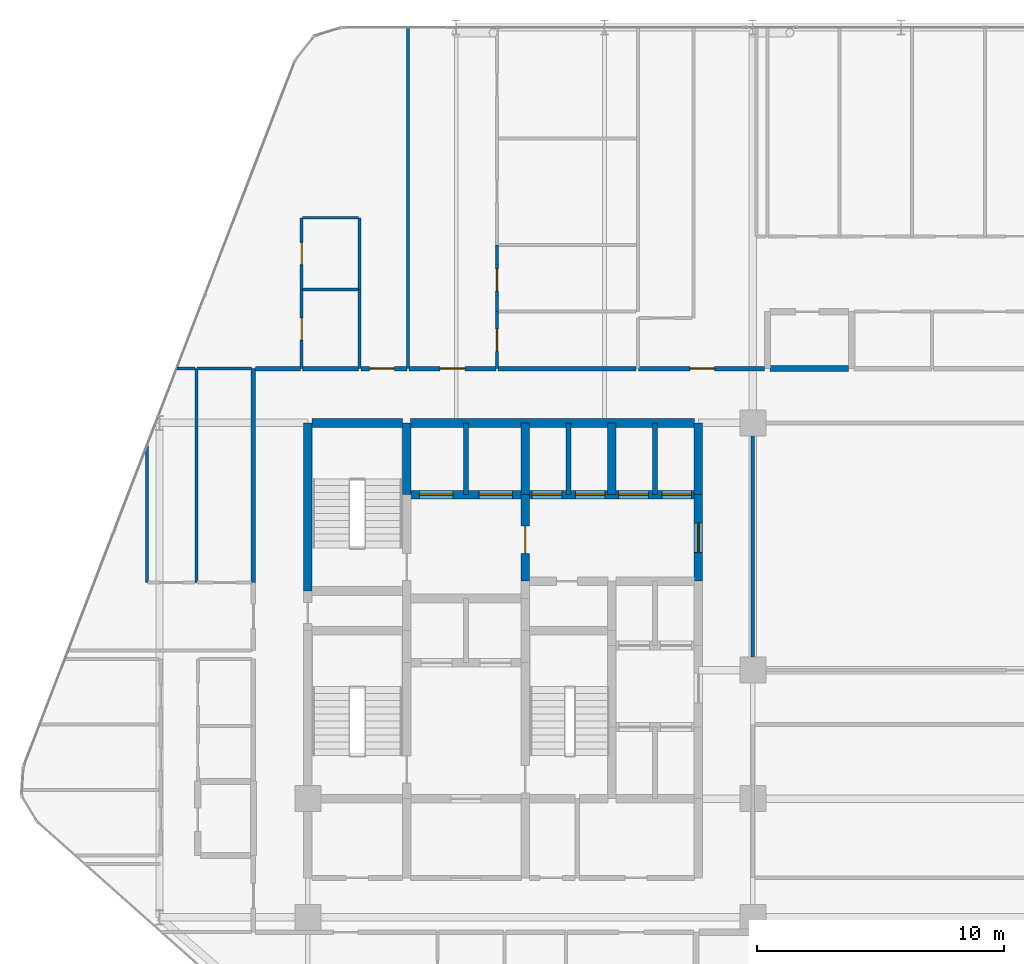
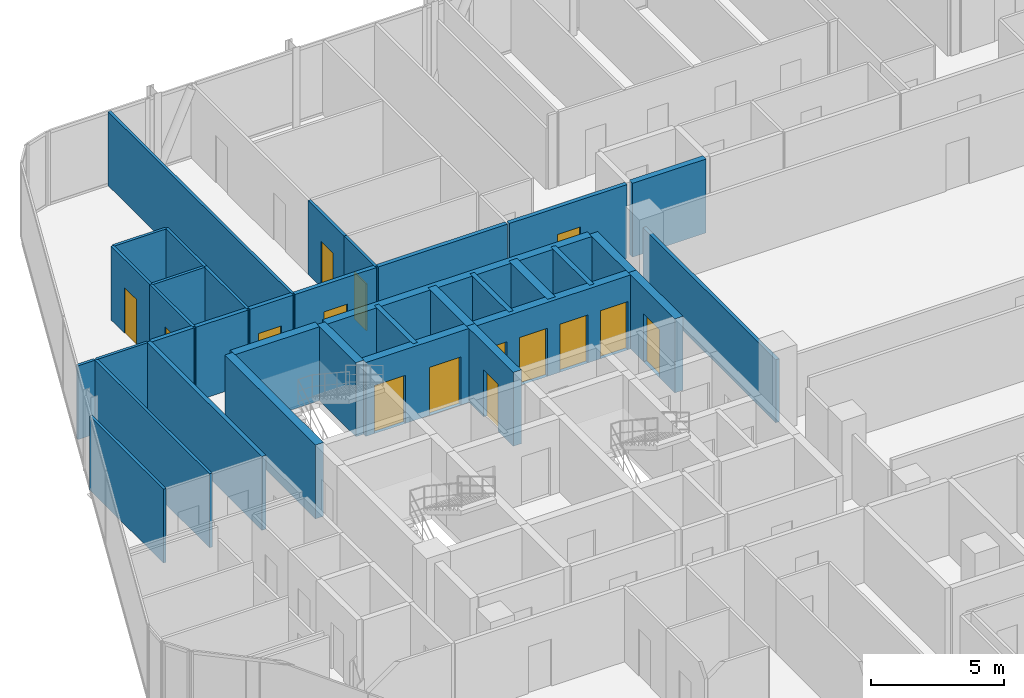
# One storey, part 27 of 30: 35 walls, 15 doors, 15 openings.
"""IFC4 building model written with IfcOpenShell, lengths in metres."""

from ifc_helpers import new_model, si_unit, direction, frame, frame_2d, origin, place, context, subcontext, project, spatial, rectangle, extrude, material, layer, layer_set, type_object, element, fill, save


model = new_model("IFC4")

# Units and contexts
model_context = context("Model", 3, precision=1e-05, world=origin(), true_north=direction((0.0, 1.0)))
body_context = subcontext(model_context, "Body", "Model", "MODEL_VIEW")
ifc_project = project(units=[si_unit("LENGTHUNIT", "METRE"), si_unit("AREAUNIT", "SQUARE_METRE"), si_unit("VOLUMEUNIT", "CUBIC_METRE"), si_unit("PLANEANGLEUNIT", "RADIAN"), si_unit("MASSUNIT", "GRAM", prefix="KILO")], contexts=[model_context])

# Site, building, storey
site_placement = place(None, origin())
site = spatial("IfcSite", under=ifc_project, at=site_placement, CompositionType="ELEMENT")
building_placement = place(site_placement, origin())
building = spatial("IfcBuilding", under=site, at=building_placement, Name="Keshet Zoharim Tower", CompositionType="ELEMENT")
storey_placement = place(building_placement, frame((0.0, 0.0, 90.89990234375)))
storey = spatial("IfcBuildingStorey", under=building, at=storey_placement, Name="L21", CompositionType="ELEMENT", Elevation=90.89990234375)

# Walls
ifc_material_1 = material(Name="Gypsum Plasterboard", Category="gypsum")
ifc_layer_1 = layer(ifc_material_1, 0.14990234375)
ifc_layer_set_1 = layer_set([ifc_layer_1], Name="Gypsum Plasterboard")
wall_type_1 = type_object("IfcWallType", Name="WL-CLIN-150", PredefinedType="STANDARD", material=ifc_layer_set_1)
wall_1_placement = place(storey_placement, frame((33.0, 27.909912109375, 0.0), z_axis=(0.0, 0.0, 1.0), x_axis=(0.0, 1.0, 0.0)))
element("IfcWall", 1, at=wall_1_placement, inside=storey, type_object=wall_type_1, Name="L21 Interior Wall 070", PredefinedType="STANDARD", context=body_context, shape_type="SweptSolid", body=[
    extrude(rectangle(XDim=9.97998046875, YDim=0.14990234375, at=frame_2d((4.989990234375, 0.0))), origin(), (0.0, 0.0, 1.0), 2.885009765625),
])
ifc_material_2 = material(Name="Concrete C60/75", Category="concrete")
ifc_layer_2 = layer(ifc_material_2, 0.35009765625)
ifc_layer_set_2 = layer_set([ifc_layer_2], Name="Concrete C60/75")
wall_type_2 = type_object("IfcWallType", Name="WL-CORE-350", PredefinedType="SHEAR", material=ifc_layer_set_2)
wall_2_placement = place(storey_placement, frame((15.0, 31.10009765625, 0.0), z_axis=(0.0, 0.0, 1.0), x_axis=(0.0, 1.0, 0.0)))
element("IfcWall", 2, at=wall_2_placement, inside=storey, type_object=wall_type_2, Name="L21 Core Shear Wall 018", PredefinedType="SHEAR", context=body_context, shape_type="SweptSolid", body=[
    extrude(rectangle(XDim=6.7998046875, YDim=0.35009765625, at=frame_2d((3.39990234375, 0.0))), origin(), (0.0, 0.0, 1.0), 3.385009765625),
])
wall_3_placement = place(storey_placement, frame((19.0, 35.0, 0.0), z_axis=(0.0, 0.0, 1.0), x_axis=(0.0, 1.0, 0.0)))
element("IfcWall", 3, at=wall_3_placement, inside=storey, type_object=wall_type_2, Name="L21 Core Shear Wall 025", PredefinedType="SHEAR", context=body_context, shape_type="SweptSolid", body=[
    extrude(rectangle(XDim=2.89990234375, YDim=0.35009765625, at=frame_2d((1.449951171875, 0.0))), origin(), (0.0, 0.0, 1.0), 3.385009765625),
])

# Wall, opening, door
wall_4_placement = place(storey_placement, frame((23.800048828125, 31.5, 0.0), z_axis=(0.0, 0.0, 1.0), x_axis=(0.0, 1.0, 0.0)))
wall_4 = element("IfcWall", 4, at=wall_4_placement, inside=storey, type_object=wall_type_2, Name="L21 Core Shear Wall 041", PredefinedType="SHEAR", context=body_context, shape_type="SweptSolid", body=[
    extrude(rectangle(XDim=3.5, YDim=0.35009765625, at=frame_2d((1.75, 0.0))), origin(), (0.0, 0.0, 1.0), 3.385009765625),
])
opening_1_placement = place(wall_4_placement, frame((1.126953125, 0.0, 0.0)))
opening_1 = element("IfcOpeningElement", 5, at=opening_1_placement, cuts=wall_4, Name="Opening D-F611", PredefinedType="OPENING", context=body_context, shape_type="SweptSolid", body=[
    extrude(rectangle(XDim=1.10009765625, YDim=2.14990234375, at=frame_2d((0.550048828125, 1.074951171875))), frame((0.0, 0.18505859375, 0.0), z_axis=(0.0, -1.0, 0.0), x_axis=(1.0, 0.0, 0.0)), (0.0, 0.0, 1.0), 0.3701171875),
])
ifc_material_3 = material(Name="Hardwood Timber", Category="wood")
door_type_1 = type_object("IfcDoorType", Name="DR-FD60-110", OperationType="NOTDEFINED", PredefinedType="DOOR", material=ifc_material_3)
door_1_placement = place(opening_1_placement, origin())
door_1 = element("IfcDoor", 6, at=door_1_placement, inside=storey, type_object=door_type_1, Name="L21 Firefighting Lobby Fire Door", OperationType="SINGLE_SWING_RIGHT", OverallHeight=2.14990234375, OverallWidth=1.10009765625, PredefinedType="DOOR", context=body_context, shape_type="SweptSolid", body=[
    extrude(rectangle(XDim=1.10009765625, YDim=2.14990234375, at=frame_2d((0.550048828125, 1.074951171875))), frame((0.0, 0.02490234375, 0.0), z_axis=(0.0, -1.0, 0.0), x_axis=(1.0, 0.0, 0.0)), (0.0, 0.0, 1.0), 0.050048828125),
])
fill(opening_1, door_1)

# Walls
for number, where, z_axis, x_axis, name in (
    (7, (23.800048828125, 35.0, 0.0), (0.0, 0.0, 1.0), (0.0, 1.0, 0.0), "L21 Core Shear Wall 042"),
    (8, (27.300048828125, 35.0, 0.0), (0.0, 0.0, 1.0), (0.0, 1.0, 0.0), "L21 Core Shear Wall 051"),
):
    element("IfcWall", number, at=place(storey_placement, frame(where, z_axis=z_axis, x_axis=x_axis)), inside=storey, type_object=wall_type_2, Name=name, PredefinedType="SHEAR", context=body_context, shape_type="SweptSolid", body=[
        extrude(rectangle(XDim=2.89990234375, YDim=0.35009765625, at=frame_2d((1.449951171875, 0.0))), origin(), (0.0, 0.0, 1.0), 3.385009765625),
    ])

# Wall, opening, door
wall_5_placement = place(storey_placement, frame((30.800048828125, 31.5, 0.0), z_axis=(0.0, 0.0, 1.0), x_axis=(0.0, 1.0, 0.0)))
wall_5 = element("IfcWall", 9, at=wall_5_placement, inside=storey, type_object=wall_type_2, Name="L21 Core Shear Wall 067", PredefinedType="SHEAR", context=body_context, shape_type="SweptSolid", body=[
    extrude(rectangle(XDim=3.5, YDim=0.35009765625, at=frame_2d((1.75, 0.0))), origin(), (0.0, 0.0, 1.0), 3.385009765625),
])
opening_2_placement = place(wall_5_placement, frame((1.14990234375, 0.0, 0.0)))
opening_2 = element("IfcOpeningElement", 10, at=opening_2_placement, cuts=wall_5, Name="Opening D-F612", PredefinedType="OPENING", context=body_context, shape_type="SweptSolid", body=[
    extrude(rectangle(XDim=1.199951171875, YDim=2.199951171875, at=frame_2d((0.60009765625, 1.10009765625))), frame((0.0, 0.18505859375, 0.0), z_axis=(0.0, -1.0, 0.0), x_axis=(1.0, 0.0, 0.0)), (0.0, 0.0, 1.0), 0.3701171875),
])
door_type_2 = type_object("IfcDoorType", Name="DR-FD60-120", OperationType="NOTDEFINED", PredefinedType="DOOR", material=ifc_material_3)
door_2_placement = place(opening_2_placement, origin())
door_2 = element("IfcDoor", 11, at=door_2_placement, inside=storey, type_object=door_type_2, Name="L21 North Lift Lobby East Fire Door", OperationType="SINGLE_SWING_RIGHT", OverallHeight=2.199951171875, OverallWidth=1.199951171875, PredefinedType="DOOR", context=body_context, shape_type="SweptSolid", body=[
    extrude(rectangle(XDim=1.199951171875, YDim=2.199951171875, at=frame_2d((0.60009765625, 1.10009765625))), frame((0.0, 0.02490234375, 0.0), z_axis=(0.0, -1.0, 0.0), x_axis=(1.0, 0.0, 0.0)), (0.0, 0.0, 1.0), 0.050048828125),
])
fill(opening_2, door_2)

# Wall
wall_6_placement = place(storey_placement, frame((30.800048828125, 35.0, 0.0), z_axis=(0.0, 0.0, 1.0), x_axis=(0.0, 1.0, 0.0)))
element("IfcWall", 12, at=wall_6_placement, inside=storey, type_object=wall_type_2, Name="L21 Core Shear Wall 068", PredefinedType="SHEAR", context=body_context, shape_type="SweptSolid", body=[
    extrude(rectangle(XDim=2.89990234375, YDim=0.35009765625, at=frame_2d((1.449951171875, 0.0))), origin(), (0.0, 0.0, 1.0), 3.385009765625),
])

# Wall, openings, doors
wall_7_placement = place(storey_placement, frame((19.159912109375, 35.0, 0.0), z_axis=(0.0, 0.0, 1.0), x_axis=(1.0, 0.0, 0.0)))
wall_7 = element("IfcWall", 13, at=wall_7_placement, inside=storey, type_object=wall_type_2, Name="L21 Core Shear Wall 176", PredefinedType="SHEAR", context=body_context, shape_type="SweptSolid", body=[
    extrude(rectangle(XDim=11.47998046875, YDim=0.35009765625, at=frame_2d((5.739990234375, 0.0))), origin(), (0.0, 0.0, 1.0), 3.385009765625),
])
opening_3_placement = place(wall_7_placement, frame((0.364990234375, 0.0, 0.0)))
opening_3 = element("IfcOpeningElement", 14, at=opening_3_placement, cuts=wall_7, Name="Opening LD-02", PredefinedType="OPENING", context=body_context, shape_type="SweptSolid", body=[
    extrude(rectangle(XDim=1.35009765625, YDim=2.199951171875, at=frame_2d((0.675048828125, 1.10009765625))), frame((0.0, 0.18505859375, 0.0), z_axis=(0.0, -1.0, 0.0), x_axis=(1.0, 0.0, 0.0)), (0.0, 0.0, 1.0), 0.3701171875),
])
opening_4_placement = place(wall_7_placement, frame((2.764892578125, 0.0, 0.0)))
opening_4 = element("IfcOpeningElement", 15, at=opening_4_placement, cuts=wall_7, Name="Opening LD-02", PredefinedType="OPENING", context=body_context, shape_type="SweptSolid", body=[
    extrude(rectangle(XDim=1.35009765625, YDim=2.199951171875, at=frame_2d((0.675048828125, 1.10009765625))), frame((0.0, 0.18505859375, 0.0), z_axis=(0.0, -1.0, 0.0), x_axis=(1.0, 0.0, 0.0)), (0.0, 0.0, 1.0), 0.3701171875),
])
opening_5_placement = place(wall_7_placement, frame((4.9150390625, 0.0, 0.0)))
opening_5 = element("IfcOpeningElement", 16, at=opening_5_placement, cuts=wall_7, Name="Opening LD-03", PredefinedType="OPENING", context=body_context, shape_type="SweptSolid", body=[
    extrude(rectangle(XDim=1.199951171875, YDim=2.199951171875, at=frame_2d((0.60009765625, 1.10009765625))), frame((0.0, 0.18505859375, 0.0), z_axis=(0.0, -1.0, 0.0), x_axis=(1.0, 0.0, 0.0)), (0.0, 0.0, 1.0), 0.3701171875),
])
opening_6_placement = place(wall_7_placement, frame((6.6650390625, 0.0, 0.0)))
opening_6 = element("IfcOpeningElement", 17, at=opening_6_placement, cuts=wall_7, Name="Opening LD-03", PredefinedType="OPENING", context=body_context, shape_type="SweptSolid", body=[
    extrude(rectangle(XDim=1.199951171875, YDim=2.199951171875, at=frame_2d((0.60009765625, 1.10009765625))), frame((0.0, 0.18505859375, 0.0), z_axis=(0.0, -1.0, 0.0), x_axis=(1.0, 0.0, 0.0)), (0.0, 0.0, 1.0), 0.3701171875),
])
opening_7_placement = place(wall_7_placement, frame((8.4150390625, 0.0, 0.0)))
opening_7 = element("IfcOpeningElement", 18, at=opening_7_placement, cuts=wall_7, Name="Opening LD-03", PredefinedType="OPENING", context=body_context, shape_type="SweptSolid", body=[
    extrude(rectangle(XDim=1.199951171875, YDim=2.199951171875, at=frame_2d((0.60009765625, 1.10009765625))), frame((0.0, 0.18505859375, 0.0), z_axis=(0.0, -1.0, 0.0), x_axis=(1.0, 0.0, 0.0)), (0.0, 0.0, 1.0), 0.3701171875),
])
opening_8_placement = place(wall_7_placement, frame((10.159912109375, 0.0, 0.0)))
opening_8 = element("IfcOpeningElement", 19, at=opening_8_placement, cuts=wall_7, Name="Opening LD-03", PredefinedType="OPENING", context=body_context, shape_type="SweptSolid", body=[
    extrude(rectangle(XDim=1.199951171875, YDim=2.199951171875, at=frame_2d((0.60009765625, 1.10009765625))), frame((0.0, 0.18505859375, 0.0), z_axis=(0.0, -1.0, 0.0), x_axis=(1.0, 0.0, 0.0)), (0.0, 0.0, 1.0), 0.3701171875),
])
ifc_material_4 = material(Name="Steel S355", Category="steel")
door_type_3 = type_object("IfcDoorType", Name="DR-LD02-135", OperationType="DOUBLE_DOOR_SLIDING", PredefinedType="DOOR", material=ifc_material_4)
door_3_placement = place(opening_3_placement, origin())
door_3 = element("IfcDoor", 20, at=door_3_placement, inside=storey, type_object=door_type_3, Name="L21 Firefighting Lift Landing Door FF-01", OperationType="DOUBLE_DOOR_SLIDING", OverallHeight=2.199951171875, OverallWidth=1.35009765625, PredefinedType="DOOR", context=body_context, shape_type="SweptSolid", body=[
    extrude(rectangle(XDim=1.35009765625, YDim=2.199951171875, at=frame_2d((0.675048828125, 1.10009765625))), frame((0.0, 0.02490234375, 0.0), z_axis=(0.0, -1.0, 0.0), x_axis=(1.0, 0.0, 0.0)), (0.0, 0.0, 1.0), 0.050048828125),
])
fill(opening_3, door_3)
door_4_placement = place(opening_4_placement, origin())
door_4 = element("IfcDoor", 21, at=door_4_placement, inside=storey, type_object=door_type_3, Name="L21 Firefighting Lift Landing Door FF-02", OperationType="DOUBLE_DOOR_SLIDING", OverallHeight=2.199951171875, OverallWidth=1.35009765625, PredefinedType="DOOR", context=body_context, shape_type="SweptSolid", body=[
    extrude(rectangle(XDim=1.35009765625, YDim=2.199951171875, at=frame_2d((0.675048828125, 1.10009765625))), frame((0.0, 0.02490234375, 0.0), z_axis=(0.0, -1.0, 0.0), x_axis=(1.0, 0.0, 0.0)), (0.0, 0.0, 1.0), 0.050048828125),
])
fill(opening_4, door_4)
door_type_4 = type_object("IfcDoorType", Name="DR-LD03-120", OperationType="DOUBLE_DOOR_SLIDING", PredefinedType="DOOR", material=ifc_material_4)
door_5_placement = place(opening_5_placement, origin())
door_5 = element("IfcDoor", 22, at=door_5_placement, inside=storey, type_object=door_type_4, Name="L21 Passenger Lift Landing Door LF-01", OperationType="DOUBLE_DOOR_SLIDING", OverallHeight=2.199951171875, OverallWidth=1.199951171875, PredefinedType="DOOR", context=body_context, shape_type="SweptSolid", body=[
    extrude(rectangle(XDim=1.199951171875, YDim=2.199951171875, at=frame_2d((0.60009765625, 1.10009765625))), frame((0.0, 0.02490234375, 0.0), z_axis=(0.0, -1.0, 0.0), x_axis=(1.0, 0.0, 0.0)), (0.0, 0.0, 1.0), 0.050048828125),
])
fill(opening_5, door_5)
door_6_placement = place(opening_6_placement, origin())
door_6 = element("IfcDoor", 23, at=door_6_placement, inside=storey, type_object=door_type_4, Name="L21 Passenger Lift Landing Door LF-02", OperationType="DOUBLE_DOOR_SLIDING", OverallHeight=2.199951171875, OverallWidth=1.199951171875, PredefinedType="DOOR", context=body_context, shape_type="SweptSolid", body=[
    extrude(rectangle(XDim=1.199951171875, YDim=2.199951171875, at=frame_2d((0.60009765625, 1.10009765625))), frame((0.0, 0.02490234375, 0.0), z_axis=(0.0, -1.0, 0.0), x_axis=(1.0, 0.0, 0.0)), (0.0, 0.0, 1.0), 0.050048828125),
])
fill(opening_6, door_6)
door_7_placement = place(opening_7_placement, origin())
door_7 = element("IfcDoor", 24, at=door_7_placement, inside=storey, type_object=door_type_4, Name="L21 Passenger Lift Landing Door LF-03", OperationType="DOUBLE_DOOR_SLIDING", OverallHeight=2.199951171875, OverallWidth=1.199951171875, PredefinedType="DOOR", context=body_context, shape_type="SweptSolid", body=[
    extrude(rectangle(XDim=1.199951171875, YDim=2.199951171875, at=frame_2d((0.60009765625, 1.10009765625))), frame((0.0, 0.02490234375, 0.0), z_axis=(0.0, -1.0, 0.0), x_axis=(1.0, 0.0, 0.0)), (0.0, 0.0, 1.0), 0.050048828125),
])
fill(opening_7, door_7)
door_8_placement = place(opening_8_placement, origin())
door_8 = element("IfcDoor", 25, at=door_8_placement, inside=storey, type_object=door_type_4, Name="L21 Passenger Lift Landing Door LF-04", OperationType="DOUBLE_DOOR_SLIDING", OverallHeight=2.199951171875, OverallWidth=1.199951171875, PredefinedType="DOOR", context=body_context, shape_type="SweptSolid", body=[
    extrude(rectangle(XDim=1.199951171875, YDim=2.199951171875, at=frame_2d((0.60009765625, 1.10009765625))), frame((0.0, 0.02490234375, 0.0), z_axis=(0.0, -1.0, 0.0), x_axis=(1.0, 0.0, 0.0)), (0.0, 0.0, 1.0), 0.050048828125),
])
fill(opening_8, door_8)

# Walls
wall_8_placement = place(storey_placement, frame((15.159912109375, 37.89990234375, 0.0), z_axis=(0.0, 0.0, 1.0), x_axis=(1.0, 0.0, 0.0)))
element("IfcWall", 26, at=wall_8_placement, inside=storey, type_object=wall_type_2, Name="L21 Core Shear Wall 177", PredefinedType="SHEAR", context=body_context, shape_type="SweptSolid", body=[
    extrude(rectangle(XDim=3.68017578125, YDim=0.35009765625, at=frame_2d((1.840087890625, 0.0))), origin(), (0.0, 0.0, 1.0), 3.385009765625),
])
wall_9_placement = place(storey_placement, frame((19.159912109375, 37.89990234375, 0.0), z_axis=(0.0, 0.0, 1.0), x_axis=(1.0, 0.0, 0.0)))
element("IfcWall", 27, at=wall_9_placement, inside=storey, type_object=wall_type_2, Name="L21 Core Shear Wall 178", PredefinedType="SHEAR", context=body_context, shape_type="SweptSolid", body=[
    extrude(rectangle(XDim=11.47998046875, YDim=0.35009765625, at=frame_2d((5.739990234375, 0.0))), origin(), (0.0, 0.0, 1.0), 3.385009765625),
])
ifc_layer_3 = layer(ifc_material_1, 0.179931640625)
ifc_layer_set_3 = layer_set([ifc_layer_3], Name="Gypsum Plasterboard")
wall_type_3 = type_object("IfcWallType", Name="WL-CORR-180", PredefinedType="STANDARD", material=ifc_layer_set_3)
wall_10_placement = place(storey_placement, frame((12.800048828125, 31.449951171875, 0.0), z_axis=(0.0, 0.0, 1.0), x_axis=(0.0, 1.0, 0.0)))
element("IfcWall", 28, at=wall_10_placement, inside=storey, type_object=wall_type_3, Name="L21 Interior Wall 012", PredefinedType="STANDARD", context=body_context, shape_type="SweptSolid", body=[
    extrude(rectangle(XDim=8.650146484375, YDim=0.179931640625, at=frame_2d((4.3251953125, 0.0))), origin(), (0.0, 0.0, 1.0), 3.385009765625),
])
wall_11_placement = place(storey_placement, frame((12.875, 40.10009765625, 0.0), z_axis=(0.0, 0.0, 1.0), x_axis=(1.0, 0.0, 0.0)))
element("IfcWall", 29, at=wall_11_placement, inside=storey, type_object=wall_type_3, Name="L21 Interior Wall 182", PredefinedType="STANDARD", context=body_context, shape_type="SweptSolid", body=[
    extrude(rectangle(XDim=1.830078125, YDim=0.179931640625, at=frame_2d((0.9150390625, 0.0))), origin(), (0.0, 0.0, 1.0), 3.385009765625),
])
wall_12_placement = place(storey_placement, frame((14.794921875, 40.10009765625, 0.0), z_axis=(0.0, 0.0, 1.0), x_axis=(1.0, 0.0, 0.0)))
element("IfcWall", 30, at=wall_12_placement, inside=storey, type_object=wall_type_3, Name="L21 Interior Wall 183", PredefinedType="STANDARD", context=body_context, shape_type="SweptSolid", body=[
    extrude(rectangle(XDim=2.260009765625, YDim=0.179931640625, at=frame_2d((1.1298828125, 0.0))), origin(), (0.0, 0.0, 1.0), 3.385009765625),
])

# Wall, opening, door
wall_13_placement = place(storey_placement, frame((17.14501953125, 40.10009765625, 0.0), z_axis=(0.0, 0.0, 1.0), x_axis=(1.0, 0.0, 0.0)))
wall_13 = element("IfcWall", 31, at=wall_13_placement, inside=storey, type_object=wall_type_3, Name="L21 Interior Wall 184", PredefinedType="STANDARD", context=body_context, shape_type="SweptSolid", body=[
    extrude(rectangle(XDim=1.85986328125, YDim=0.179931640625, at=frame_2d((0.929931640625, 0.0))), origin(), (0.0, 0.0, 1.0), 3.385009765625),
])
opening_9_placement = place(wall_13_placement, frame((0.35693359375, 0.0, 0.0)))
opening_9 = element("IfcOpeningElement", 32, at=opening_9_placement, cuts=wall_13, Name="Opening D-F310", PredefinedType="OPENING", context=body_context, shape_type="SweptSolid", body=[
    extrude(rectangle(XDim=1.0, YDim=2.14990234375, at=frame_2d((0.5, 1.074951171875))), frame((0.0, 0.10009765625, 0.0), z_axis=(0.0, -1.0, 0.0), x_axis=(1.0, 0.0, 0.0)), (0.0, 0.0, 1.0), 0.199951171875),
])
door_type_5 = type_object("IfcDoorType", Name="DR-FD30-100", OperationType="NOTDEFINED", PredefinedType="DOOR", material=ifc_material_3)
door_9_placement = place(opening_9_placement, origin())
door_9 = element("IfcDoor", 33, at=door_9_placement, inside=storey, type_object=door_type_5, Name="Apartment 2104 Entrance Door", OperationType="SINGLE_SWING_RIGHT", OverallHeight=2.14990234375, OverallWidth=1.0, PredefinedType="DOOR", context=body_context, shape_type="SweptSolid", body=[
    extrude(rectangle(XDim=1.0, YDim=2.14990234375, at=frame_2d((0.5, 1.074951171875))), frame((0.0, 0.02490234375, 0.0), z_axis=(0.0, -1.0, 0.0), x_axis=(1.0, 0.0, 0.0)), (0.0, 0.0, 1.0), 0.050048828125),
])
fill(opening_9, door_9)

wall_14_placement = place(storey_placement, frame((19.094970703125, 40.10009765625, 0.0), z_axis=(0.0, 0.0, 1.0), x_axis=(1.0, 0.0, 0.0)))
wall_14 = element("IfcWall", 34, at=wall_14_placement, inside=storey, type_object=wall_type_3, Name="L21 Interior Wall 185", PredefinedType="STANDARD", context=body_context, shape_type="SweptSolid", body=[
    extrude(rectangle(XDim=3.510009765625, YDim=0.179931640625, at=frame_2d((1.7548828125, 0.0))), origin(), (0.0, 0.0, 1.0), 3.385009765625),
])
opening_10_placement = place(wall_14_placement, frame((1.2548828125, 0.0, 0.0)))
opening_10 = element("IfcOpeningElement", 35, at=opening_10_placement, cuts=wall_14, Name="Opening D-F310", PredefinedType="OPENING", context=body_context, shape_type="SweptSolid", body=[
    extrude(rectangle(XDim=1.0, YDim=2.14990234375, at=frame_2d((0.5, 1.074951171875))), frame((0.0, 0.10009765625, 0.0), z_axis=(0.0, -1.0, 0.0), x_axis=(1.0, 0.0, 0.0)), (0.0, 0.0, 1.0), 0.199951171875),
])
door_10_placement = place(opening_10_placement, origin())
door_10 = element("IfcDoor", 36, at=door_10_placement, inside=storey, type_object=door_type_5, Name="Apartment 2105 Entrance Door", OperationType="SINGLE_SWING_LEFT", OverallHeight=2.14990234375, OverallWidth=1.0, PredefinedType="DOOR", context=body_context, shape_type="SweptSolid", body=[
    extrude(rectangle(XDim=1.0, YDim=2.14990234375, at=frame_2d((0.5, 1.074951171875))), frame((0.0, 0.02490234375, 0.0), z_axis=(0.0, -1.0, 0.0), x_axis=(1.0, 0.0, 0.0)), (0.0, 0.0, 1.0), 0.050048828125),
])
fill(opening_10, door_10)

# Wall
wall_15_placement = place(storey_placement, frame((22.695068359375, 40.10009765625, 0.0), z_axis=(0.0, 0.0, 1.0), x_axis=(1.0, 0.0, 0.0)))
element("IfcWall", 37, at=wall_15_placement, inside=storey, type_object=wall_type_3, Name="L21 Interior Wall 186", PredefinedType="STANDARD", context=body_context, shape_type="SweptSolid", body=[
    extrude(rectangle(XDim=5.58984375, YDim=0.179931640625, at=frame_2d((2.794921875, 0.0))), origin(), (0.0, 0.0, 1.0), 3.385009765625),
])

# Wall, opening, door
wall_16_placement = place(storey_placement, frame((28.375, 40.10009765625, 0.0), z_axis=(0.0, 0.0, 1.0), x_axis=(1.0, 0.0, 0.0)))
wall_16 = element("IfcWall", 38, at=wall_16_placement, inside=storey, type_object=wall_type_3, Name="L21 Interior Wall 187", PredefinedType="STANDARD", context=body_context, shape_type="SweptSolid", body=[
    extrude(rectangle(XDim=5.094970703125, YDim=0.179931640625, at=frame_2d((2.54736328125, 0.0))), origin(), (0.0, 0.0, 1.0), 3.385009765625),
])
opening_11_placement = place(wall_16_placement, frame((2.080078125, 0.0, 0.0)))
opening_11 = element("IfcOpeningElement", 39, at=opening_11_placement, cuts=wall_16, Name="Opening D-F310", PredefinedType="OPENING", context=body_context, shape_type="SweptSolid", body=[
    extrude(rectangle(XDim=1.0, YDim=2.14990234375, at=frame_2d((0.5, 1.074951171875))), frame((0.0, 0.10009765625, 0.0), z_axis=(0.0, -1.0, 0.0), x_axis=(1.0, 0.0, 0.0)), (0.0, 0.0, 1.0), 0.199951171875),
])
door_11_placement = place(opening_11_placement, origin())
door_11 = element("IfcDoor", 40, at=door_11_placement, inside=storey, type_object=door_type_5, Name="Apartment 2106 Entrance Door", OperationType="SINGLE_SWING_RIGHT", OverallHeight=2.14990234375, OverallWidth=1.0, PredefinedType="DOOR", context=body_context, shape_type="SweptSolid", body=[
    extrude(rectangle(XDim=1.0, YDim=2.14990234375, at=frame_2d((0.5, 1.074951171875))), frame((0.0, 0.02490234375, 0.0), z_axis=(0.0, -1.0, 0.0), x_axis=(1.0, 0.0, 0.0)), (0.0, 0.0, 1.0), 0.050048828125),
])
fill(opening_11, door_11)

# Walls
ifc_material_5 = material(Name="Concrete C50/60", Category="concrete")
ifc_layer_4 = layer(ifc_material_5, 0.199951171875)
ifc_layer_set_4 = layer_set([ifc_layer_4], Name="Concrete C50/60")
wall_type_4 = type_object("IfcWallType", Name="WL-FIRE-200", PredefinedType="STANDARD", material=ifc_layer_set_4)
for number, where, z_axis, x_axis, name in (
    (41, (21.39990234375, 35.0, 0.0), (0.0, 0.0, 1.0), (0.0, 1.0, 0.0), "L21 Interior Wall 030"),
    (42, (25.550048828125, 35.0, 0.0), (0.0, 0.0, 1.0), (0.0, 1.0, 0.0), "L21 Interior Wall 045"),
    (43, (29.050048828125, 35.0, 0.0), (0.0, 0.0, 1.0), (0.0, 1.0, 0.0), "L21 Interior Wall 058"),
):
    element("IfcWall", number, at=place(storey_placement, frame(where, z_axis=z_axis, x_axis=x_axis)), inside=storey, type_object=wall_type_4, Name=name, PredefinedType="STANDARD", context=body_context, shape_type="SweptSolid", body=[
        extrude(rectangle(XDim=2.89990234375, YDim=0.199951171875, at=frame_2d((1.449951171875, 0.0))), origin(), (0.0, 0.0, 1.0), 3.385009765625),
    ])
ifc_layer_5 = layer(ifc_material_5, 0.25)
ifc_layer_set_5 = layer_set([ifc_layer_5], Name="Concrete C50/60")
wall_type_5 = type_object("IfcWallType", Name="WL-MAMAD-250", PredefinedType="STANDARD", material=ifc_layer_set_5)
wall_17_placement = place(storey_placement, frame((33.68994140625, 40.10009765625, 0.0), z_axis=(0.0, 0.0, 1.0), x_axis=(1.0, 0.0, 0.0)))
element("IfcWall", 44, at=wall_17_placement, inside=storey, type_object=wall_type_5, Name="L21 Interior Wall 188", PredefinedType="STANDARD", context=body_context, shape_type="SweptSolid", body=[
    extrude(rectangle(XDim=3.18212890625, YDim=0.25, at=frame_2d((1.591064453125, 0.0))), origin(), (0.0, 0.0, 1.0), 3.385009765625),
])
ifc_layer_6 = layer(ifc_material_1, 0.1201171875)
ifc_layer_set_6 = layer_set([ifc_layer_6], Name="Gypsum Plasterboard")
wall_type_6 = type_object("IfcWallType", Name="WL-PART-120", PredefinedType="PARTITIONING", material=ifc_layer_set_6)
wall_18_placement = place(storey_placement, frame((8.5, 31.449951171875, 0.0), z_axis=(0.0, 0.0, 1.0), x_axis=(0.0, 1.0, 0.0)))
element("IfcWall", 45, at=wall_18_placement, inside=storey, type_object=wall_type_6, Name="L21 Interior Wall 001", PredefinedType="PARTITIONING", context=body_context, shape_type="SweptSolid", body=[
    extrude(rectangle(XDim=5.5400390625, YDim=0.1201171875, at=frame_2d((2.77001953125, 0.0))), origin(), (0.0, 0.0, 1.0), 3.385009765625),
])

# Wall, opening, door
wall_19_placement = place(storey_placement, frame((14.75, 40.10009765625, 0.0), z_axis=(0.0, 0.0, 1.0), x_axis=(0.0, 1.0, 0.0)))
wall_19 = element("IfcWall", 46, at=wall_19_placement, inside=storey, type_object=wall_type_6, Name="L21 Interior Wall 013", PredefinedType="PARTITIONING", context=body_context, shape_type="SweptSolid", body=[
    extrude(rectangle(XDim=3.199951171875, YDim=0.1201171875, at=frame_2d((1.60009765625, 0.0))), origin(), (0.0, 0.0, 1.0), 3.385009765625),
])
opening_12_placement = place(wall_19_placement, frame((1.14990234375, 0.0, 0.0)))
opening_12 = element("IfcOpeningElement", 47, at=opening_12_placement, cuts=wall_19, Name="Opening D-IN90", PredefinedType="OPENING", context=body_context, shape_type="SweptSolid", body=[
    extrude(rectangle(XDim=0.89990234375, YDim=2.14990234375, at=frame_2d((0.449951171875, 1.074951171875))), frame((0.0, 0.070068359375, 0.0), z_axis=(0.0, -1.0, 0.0), x_axis=(1.0, 0.0, 0.0)), (0.0, 0.0, 1.0), 0.14013671875),
])
door_type_6 = type_object("IfcDoorType", Name="DR-INT-090", OperationType="NOTDEFINED", PredefinedType="DOOR", material=ifc_material_3)
door_12_placement = place(opening_12_placement, origin())
door_12 = element("IfcDoor", 48, at=door_12_placement, inside=storey, type_object=door_type_6, Name="Apartment 2104 Kitchenette Door", OperationType="SINGLE_SWING_RIGHT", OverallHeight=2.14990234375, OverallWidth=0.89990234375, PredefinedType="DOOR", context=body_context, shape_type="SweptSolid", body=[
    extrude(rectangle(XDim=0.89990234375, YDim=2.14990234375, at=frame_2d((0.449951171875, 1.074951171875))), frame((0.0, 0.02490234375, 0.0), z_axis=(0.0, -1.0, 0.0), x_axis=(1.0, 0.0, 0.0)), (0.0, 0.0, 1.0), 0.050048828125),
])
fill(opening_12, door_12)

# Walls
wall_20_placement = place(storey_placement, frame((17.10009765625, 40.10009765625, 0.0), z_axis=(0.0, 0.0, 1.0), x_axis=(0.0, 1.0, 0.0)))
element("IfcWall", 49, at=wall_20_placement, inside=storey, type_object=wall_type_6, Name="L21 Interior Wall 019", PredefinedType="PARTITIONING", context=body_context, shape_type="SweptSolid", body=[
    extrude(rectangle(XDim=3.199951171875, YDim=0.1201171875, at=frame_2d((1.60009765625, 0.0))), origin(), (0.0, 0.0, 1.0), 3.385009765625),
])
wall_21_placement = place(storey_placement, frame((19.050048828125, 40.10009765625, 0.0), z_axis=(0.0, 0.0, 1.0), x_axis=(0.0, 1.0, 0.0)))
element("IfcWall", 50, at=wall_21_placement, inside=storey, type_object=wall_type_6, Name="L21 Interior Wall 026", PredefinedType="PARTITIONING", context=body_context, shape_type="SweptSolid", body=[
    extrude(rectangle(XDim=13.789794921875, YDim=0.1201171875, at=frame_2d((6.89501953125, 0.0))), origin(), (0.0, 0.0, 1.0), 3.385009765625),
])

# Wall, opening, door
wall_22_placement = place(storey_placement, frame((22.64990234375, 40.10009765625, 0.0), z_axis=(0.0, 0.0, 1.0), x_axis=(0.0, 1.0, 0.0)))
wall_22 = element("IfcWall", 51, at=wall_22_placement, inside=storey, type_object=wall_type_6, Name="L21 Interior Wall 031", PredefinedType="PARTITIONING", context=body_context, shape_type="SweptSolid", body=[
    extrude(rectangle(XDim=2.2998046875, YDim=0.1201171875, at=frame_2d((1.14990234375, 0.0))), origin(), (0.0, 0.0, 1.0), 3.385009765625),
])
opening_13_placement = place(wall_22_placement, frame((0.699951171875, 0.0, 0.0)))
opening_13 = element("IfcOpeningElement", 52, at=opening_13_placement, cuts=wall_22, Name="Opening D-IN90", PredefinedType="OPENING", context=body_context, shape_type="SweptSolid", body=[
    extrude(rectangle(XDim=0.89990234375, YDim=2.14990234375, at=frame_2d((0.449951171875, 1.074951171875))), frame((0.0, 0.070068359375, 0.0), z_axis=(0.0, -1.0, 0.0), x_axis=(1.0, 0.0, 0.0)), (0.0, 0.0, 1.0), 0.14013671875),
])
door_13_placement = place(opening_13_placement, origin())
door_13 = element("IfcDoor", 53, at=door_13_placement, inside=storey, type_object=door_type_6, Name="Apartment 2105 Kitchen Door", OperationType="SINGLE_SWING_LEFT", OverallHeight=2.14990234375, OverallWidth=0.89990234375, PredefinedType="DOOR", context=body_context, shape_type="SweptSolid", body=[
    extrude(rectangle(XDim=0.89990234375, YDim=2.14990234375, at=frame_2d((0.449951171875, 1.074951171875))), frame((0.0, 0.02490234375, 0.0), z_axis=(0.0, -1.0, 0.0), x_axis=(1.0, 0.0, 0.0)), (0.0, 0.0, 1.0), 0.050048828125),
])
fill(opening_13, door_13)

# Walls
wall_23_placement = place(storey_placement, frame((9.701904296875, 40.10009765625, 0.0), z_axis=(0.0, 0.0, 1.0), x_axis=(1.0, 0.0, 0.0)))
element("IfcWall", 54, at=wall_23_placement, inside=storey, type_object=wall_type_6, Name="L21 Interior Wall 180", PredefinedType="PARTITIONING", context=body_context, shape_type="SweptSolid", body=[
    extrude(rectangle(XDim=0.731201171875, YDim=0.1201171875, at=frame_2d((0.36572265625, 0.0))), origin(), (0.0, 0.0, 1.0), 3.385009765625),
])
ifc_layer_7 = layer(ifc_material_1, 0.1201171875)
ifc_layer_set_7 = layer_set([ifc_layer_7], Name="Gypsum Plasterboard")
wall_type_7 = type_object("IfcWallType", Name="WL-WET-120", PredefinedType="PARTITIONING", material=ifc_layer_set_7)
wall_24_placement = place(storey_placement, frame((10.5, 31.449951171875, 0.0), z_axis=(0.0, 0.0, 1.0), x_axis=(0.0, 1.0, 0.0)))
element("IfcWall", 55, at=wall_24_placement, inside=storey, type_object=wall_type_7, Name="L21 Interior Wall 003", PredefinedType="PARTITIONING", context=body_context, shape_type="SweptSolid", body=[
    extrude(rectangle(XDim=8.650146484375, YDim=0.1201171875, at=frame_2d((4.3251953125, 0.0))), origin(), (0.0, 0.0, 1.0), 3.385009765625),
])

# Wall, opening, door
wall_25_placement = place(storey_placement, frame((14.75, 43.300048828125, 0.0), z_axis=(0.0, 0.0, 1.0), x_axis=(0.0, 1.0, 0.0)))
wall_25 = element("IfcWall", 56, at=wall_25_placement, inside=storey, type_object=wall_type_7, Name="L21 Interior Wall 014", PredefinedType="PARTITIONING", context=body_context, shape_type="SweptSolid", body=[
    extrude(rectangle(XDim=2.89990234375, YDim=0.1201171875, at=frame_2d((1.449951171875, 0.0))), origin(), (0.0, 0.0, 1.0), 3.385009765625),
])
opening_14_placement = place(wall_25_placement, frame((1.0, 0.0, 0.0)))
opening_14 = element("IfcOpeningElement", 57, at=opening_14_placement, cuts=wall_25, Name="Opening D-WT90", PredefinedType="OPENING", context=body_context, shape_type="SweptSolid", body=[
    extrude(rectangle(XDim=0.89990234375, YDim=2.10009765625, at=frame_2d((0.449951171875, 1.050048828125))), frame((0.0, 0.070068359375, 0.0), z_axis=(0.0, -1.0, 0.0), x_axis=(1.0, 0.0, 0.0)), (0.0, 0.0, 1.0), 0.14013671875),
])
door_type_7 = type_object("IfcDoorType", Name="DR-WET-090", OperationType="NOTDEFINED", PredefinedType="DOOR", material=ifc_material_3)
door_14_placement = place(opening_14_placement, origin())
door_14 = element("IfcDoor", 58, at=door_14_placement, inside=storey, type_object=door_type_7, Name="Apartment 2104 Bathroom Door", OperationType="SINGLE_SWING_LEFT", OverallHeight=2.10009765625, OverallWidth=0.89990234375, PredefinedType="DOOR", context=body_context, shape_type="SweptSolid", body=[
    extrude(rectangle(XDim=0.89990234375, YDim=2.10009765625, at=frame_2d((0.449951171875, 1.050048828125))), frame((0.0, 0.02490234375, 0.0), z_axis=(0.0, -1.0, 0.0), x_axis=(1.0, 0.0, 0.0)), (0.0, 0.0, 1.0), 0.050048828125),
])
fill(opening_14, door_14)

# Wall
wall_26_placement = place(storey_placement, frame((17.10009765625, 43.300048828125, 0.0), z_axis=(0.0, 0.0, 1.0), x_axis=(0.0, 1.0, 0.0)))
element("IfcWall", 59, at=wall_26_placement, inside=storey, type_object=wall_type_7, Name="L21 Interior Wall 020", PredefinedType="PARTITIONING", context=body_context, shape_type="SweptSolid", body=[
    extrude(rectangle(XDim=2.89990234375, YDim=0.1201171875, at=frame_2d((1.449951171875, 0.0))), origin(), (0.0, 0.0, 1.0), 3.385009765625),
])

# Wall, opening, door
wall_27_placement = place(storey_placement, frame((22.64990234375, 42.39990234375, 0.0), z_axis=(0.0, 0.0, 1.0), x_axis=(0.0, 1.0, 0.0)))
wall_27 = element("IfcWall", 60, at=wall_27_placement, inside=storey, type_object=wall_type_7, Name="L21 Interior Wall 032", PredefinedType="PARTITIONING", context=body_context, shape_type="SweptSolid", body=[
    extrude(rectangle(XDim=2.7001953125, YDim=0.1201171875, at=frame_2d((1.35009765625, 0.0))), origin(), (0.0, 0.0, 1.0), 3.385009765625),
])
opening_15_placement = place(wall_27_placement, frame((0.827880859375, 0.0, 0.0)))
opening_15 = element("IfcOpeningElement", 61, at=opening_15_placement, cuts=wall_27, Name="Opening D-WT90", PredefinedType="OPENING", context=body_context, shape_type="SweptSolid", body=[
    extrude(rectangle(XDim=0.89990234375, YDim=2.10009765625, at=frame_2d((0.449951171875, 1.050048828125))), frame((0.0, 0.070068359375, 0.0), z_axis=(0.0, -1.0, 0.0), x_axis=(1.0, 0.0, 0.0)), (0.0, 0.0, 1.0), 0.14013671875),
])
door_15_placement = place(opening_15_placement, origin())
door_15 = element("IfcDoor", 62, at=door_15_placement, inside=storey, type_object=door_type_7, Name="Apartment 2105 Bathroom Door", OperationType="SINGLE_SWING_RIGHT", OverallHeight=2.10009765625, OverallWidth=0.89990234375, PredefinedType="DOOR", context=body_context, shape_type="SweptSolid", body=[
    extrude(rectangle(XDim=0.89990234375, YDim=2.10009765625, at=frame_2d((0.449951171875, 1.050048828125))), frame((0.0, 0.02490234375, 0.0), z_axis=(0.0, -1.0, 0.0), x_axis=(1.0, 0.0, 0.0)), (0.0, 0.0, 1.0), 0.050048828125),
])
fill(opening_15, door_15)

# Walls
wall_28_placement = place(storey_placement, frame((10.52294921875, 40.10009765625, 0.0), z_axis=(0.0, 0.0, 1.0), x_axis=(1.0, 0.0, 0.0)))
element("IfcWall", 63, at=wall_28_placement, inside=storey, type_object=wall_type_7, Name="L21 Interior Wall 181", PredefinedType="PARTITIONING", context=body_context, shape_type="SweptSolid", body=[
    extrude(rectangle(XDim=2.2021484375, YDim=0.1201171875, at=frame_2d((1.10107421875, 0.0))), origin(), (0.0, 0.0, 1.0), 3.385009765625),
])
for number, where, z_axis, x_axis, name in (
    (64, (14.794921875, 43.300048828125, 0.0), (0.0, 0.0, 1.0), (1.0, 0.0, 0.0), "L21 Interior Wall 205"),
    (65, (14.794921875, 46.199951171875, 0.0), (0.0, 0.0, 1.0), (1.0, 0.0, 0.0), "L21 Interior Wall 212"),
):
    element("IfcWall", number, at=place(storey_placement, frame(where, z_axis=z_axis, x_axis=x_axis)), inside=storey, type_object=wall_type_7, Name=name, PredefinedType="PARTITIONING", context=body_context, shape_type="SweptSolid", body=[
        extrude(rectangle(XDim=2.260009765625, YDim=0.1201171875, at=frame_2d((1.1298828125, 0.0))), origin(), (0.0, 0.0, 1.0), 3.385009765625),
    ])

save(model, "model.ifc")
